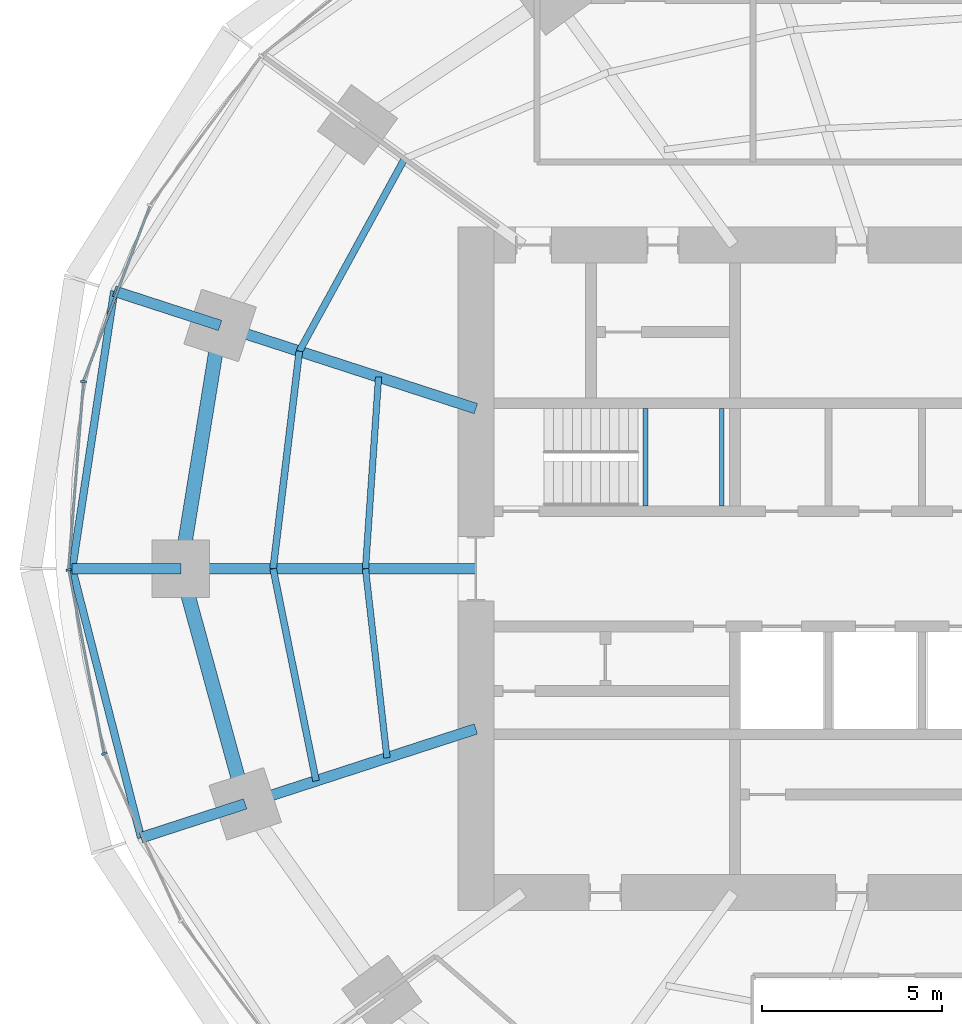
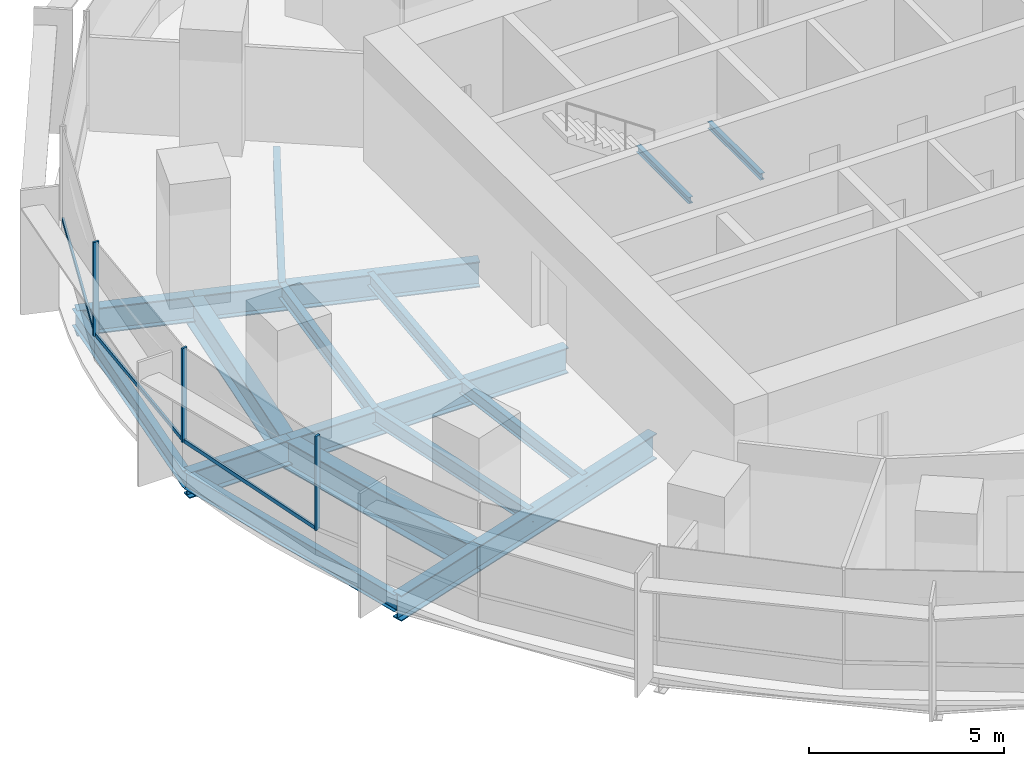
# One storey, part 4 of 14: 17 beams, 6 members, 2 elements without a shape of their own.
"""IFC4 building model written with IfcOpenShell, lengths in metres."""

from ifc_helpers import new_model, si_unit, direction, frame, origin, origin_2d, place, context, subcontext, project, spatial, rectangle, i_section, extrude, material, material_profile, profile_set, type_object, element, aggregate, save


model = new_model("IFC4")

# Units and contexts
model_context = context("Model", 3, precision=1e-05, world=origin(), true_north=direction((0.0, 1.0)))
body_context = subcontext(model_context, "Body", "Model", "MODEL_VIEW")
ifc_project = project(units=[si_unit("LENGTHUNIT", "METRE"), si_unit("AREAUNIT", "SQUARE_METRE"), si_unit("VOLUMEUNIT", "CUBIC_METRE"), si_unit("PLANEANGLEUNIT", "RADIAN"), si_unit("MASSUNIT", "GRAM", prefix="KILO")], contexts=[model_context])

# Site, building, storey
site_placement = place(None, origin())
site = spatial("IfcSite", under=ifc_project, at=site_placement, CompositionType="ELEMENT")
building_placement = place(site_placement, origin())
building = spatial("IfcBuilding", under=site, at=building_placement, Name="Marramba Exchange Tower", CompositionType="ELEMENT")
storey_placement = place(building_placement, frame((0.0, 0.0, 154.800048828125)))
storey = spatial("IfcBuildingStorey", under=building, at=storey_placement, Name="L37", CompositionType="ELEMENT", Elevation=154.800048828125)

# Beams
ifc_material_1 = material(Name="Steel AS/NZS 3679.2 grade 300", Category="steel")
ifc_material_profile_1 = material_profile(ifc_material_1, i_section(OverallWidth=0.300048828125, OverallDepth=0.800048828125, WebThickness=0.013916015625, FlangeThickness=0.031982421875, at=origin_2d()), Name="800WB192")
ifc_profile_set_1 = profile_set([ifc_material_profile_1], Name="Steel AS/NZS 3679.2 grade 300")
beam_type_1 = type_object("IfcBeamType", Name="Cantilever girder 800WB192", PredefinedType="BEAM", material=ifc_profile_set_1)
beam_1_placement = place(storey_placement, frame((-20.808349609375, 6.760986328125, -0.56005859375), z_axis=(-0.95104799017, 0.309043233858, 0.0), x_axis=(-0.309043233858, -0.95104799017, 0.0)))
element("IfcBeam", 1, at=beam_1_placement, inside=storey, type_object=beam_type_1, Name="Cantilever girder L37 TC10", PredefinedType="BEAM", context=body_context, shape_type="SweptSolid", body=[
    extrude(i_section(OverallWidth=0.300048828125, OverallDepth=0.800048828125, WebThickness=0.013916015625, FlangeThickness=0.031982421875, at=origin_2d()), origin(), (0.0, 0.0, 1.0), 3.0927734375),
])
beam_2_placement = place(storey_placement, frame((-21.89990234375, 0.0, -0.56005859375), z_axis=(-1.0, 0.0, 0.0), x_axis=(0.0, -1.0, 0.0)))
element("IfcBeam", 2, at=beam_2_placement, inside=storey, type_object=beam_type_1, Name="Cantilever girder L37 TC11", PredefinedType="BEAM", context=body_context, shape_type="SweptSolid", body=[
    extrude(i_section(OverallWidth=0.300048828125, OverallDepth=0.800048828125, WebThickness=0.013916015625, FlangeThickness=0.031982421875, at=origin_2d()), origin(), (0.0, 0.0, 1.0), 3.01806640625),
])
beam_3_placement = place(storey_placement, frame((-20.109375, -6.533935546875, -0.56005859375), z_axis=(-0.951070617775, -0.308973591113, 0.0), x_axis=(0.308973591113, -0.951070617775, 0.0)))
element("IfcBeam", 3, at=beam_3_placement, inside=storey, type_object=beam_type_1, Name="Cantilever girder L37 TC12", PredefinedType="BEAM", context=body_context, shape_type="SweptSolid", body=[
    extrude(i_section(OverallWidth=0.300048828125, OverallDepth=0.800048828125, WebThickness=0.013916015625, FlangeThickness=0.031982421875, at=origin_2d()), origin(), (0.0, 0.0, 1.0), 3.04296875),
])
ifc_material_2 = material(Name="Steel AS/NZS 3679.1 grade 300", Category="steel")
ifc_material_profile_2 = material_profile(ifc_material_2, i_section(OverallWidth=0.177978515625, OverallDepth=0.406005859375, WebThickness=0.0078125, FlangeThickness=0.0126953125, FilletRadius=0.011474609375, at=origin_2d()), Name="410UB59.7")
ifc_profile_set_2 = profile_set([ifc_material_profile_2], Name="Steel AS/NZS 3679.1 grade 300")
beam_type_2 = type_object("IfcBeamType", Name="Floor joist 410UB59.7", PredefinedType="JOIST", material=ifc_profile_set_2)
beam_4_placement = place(storey_placement, frame((-16.40283203125, 5.32958984375, -0.363037109375), z_axis=(-0.068096259546, -0.99767875563, 0.0), x_axis=(0.99767875563, -0.068096259546, 0.0)))
element("IfcBeam", 4, at=beam_4_placement, inside=storey, type_object=beam_type_2, Name="Joist L37 bay 10 row 1", PredefinedType="JOIST", context=body_context, shape_type="SweptSolid", body=[
    extrude(i_section(OverallWidth=0.177978515625, OverallDepth=0.406005859375, WebThickness=0.0078125, FlangeThickness=0.0126953125, FilletRadius=0.011474609375, at=origin_2d()), origin(), (0.0, 0.0, 1.0), 5.342041015625),
])
beam_5_placement = place(storey_placement, frame((-16.7666015625, 0.0, -0.363037109375), z_axis=(0.112888968594, -0.993607609054, 0.0), x_axis=(0.993607609054, 0.112888968594, 0.0)))
element("IfcBeam", 5, at=beam_5_placement, inside=storey, type_object=beam_type_2, Name="Joist L37 bay 11 row 1", PredefinedType="JOIST", context=body_context, shape_type="SweptSolid", body=[
    extrude(i_section(OverallWidth=0.177978515625, OverallDepth=0.406005859375, WebThickness=0.0078125, FlangeThickness=0.0126953125, FilletRadius=0.011474609375, at=origin_2d()), origin(), (0.0, 0.0, 1.0), 5.28759765625),
])
ifc_material_profile_3 = material_profile(ifc_material_2, i_section(OverallWidth=0.18994140625, OverallDepth=0.4541015625, WebThickness=0.008544921875, FlangeThickness=0.0126953125, FilletRadius=0.011474609375, at=origin_2d()), Name="460UB67.1")
ifc_profile_set_3 = profile_set([ifc_material_profile_3], Name="Steel AS/NZS 3679.1 grade 300")
beam_type_3 = type_object("IfcBeamType", Name="Floor joist 460UB67.1", PredefinedType="JOIST", material=ifc_profile_set_3)
beam_6_placement = place(storey_placement, frame((-15.682373046875, 11.393798828125, -0.386962890625), z_axis=(-0.479584443791, -0.877495732909, 0.0), x_axis=(0.877495732909, -0.479584443791, 0.0)))
element("IfcBeam", 6, at=beam_6_placement, inside=storey, type_object=beam_type_3, Name="Joist L37 bay 09 row 2", PredefinedType="JOIST", context=body_context, shape_type="SweptSolid", body=[
    extrude(i_section(OverallWidth=0.18994140625, OverallDepth=0.4541015625, WebThickness=0.008544921875, FlangeThickness=0.0126953125, FilletRadius=0.011474609375, at=origin_2d()), origin(), (0.0, 0.0, 1.0), 6.094970703125),
])
beam_7_placement = place(storey_placement, frame((-18.60546875, 6.04541015625, -0.386962890625), z_axis=(-0.119523078538, -0.992831422597, 0.0), x_axis=(0.992831422597, -0.119523078538, 0.0)))
element("IfcBeam", 7, at=beam_7_placement, inside=storey, type_object=beam_type_3, Name="Joist L37 bay 10 row 2", PredefinedType="JOIST", context=body_context, shape_type="SweptSolid", body=[
    extrude(i_section(OverallWidth=0.18994140625, OverallDepth=0.4541015625, WebThickness=0.008544921875, FlangeThickness=0.0126953125, FilletRadius=0.011474609375, at=origin_2d()), origin(), (0.0, 0.0, 1.0), 6.089111328125),
])
beam_8_placement = place(storey_placement, frame((-19.333251953125, 0.0, -0.386962890625), z_axis=(0.198489047047, -0.980103105904, 0.0), x_axis=(0.980103105904, 0.198489047047, 0.0)))
element("IfcBeam", 8, at=beam_8_placement, inside=storey, type_object=beam_type_3, Name="Joist L37 bay 11 row 2", PredefinedType="JOIST", context=body_context, shape_type="SweptSolid", body=[
    extrude(i_section(OverallWidth=0.18994140625, OverallDepth=0.4541015625, WebThickness=0.008544921875, FlangeThickness=0.0126953125, FilletRadius=0.011474609375, at=origin_2d()), origin(), (0.0, 0.0, 1.0), 6.013427734375),
])

# Curtain wall, member
ifc_material_3 = material(Name="Aluminium framing, bronze anodised", Category="aluminium")
curtain_wall_type = type_object("IfcCurtainWallType", Name="Office ribbon curtain wall", PredefinedType="USERDEFINED", material=ifc_material_3)
curtain_wall_1_placement = place(storey_placement, origin())
curtain_wall_1 = element("IfcCurtainWall", 9, at=curtain_wall_1_placement, inside=storey, type_object=curtain_wall_type, Name="Curtain wall CW4 L37 F11-F15", ObjectType="RIBBON CURTAIN WALL", PredefinedType="USERDEFINED")
ifc_material_4 = material(Name="Aluminium mullion, bronze anodised", Category="aluminium")
ifc_material_profile_4 = material_profile(ifc_material_4, rectangle(XDim=0.159912109375, YDim=0.06005859375, at=origin_2d()), Name="CW4 mullion 60x160")
ifc_profile_set_4 = profile_set([ifc_material_profile_4], Name="Aluminium mullion, bronze anodised")
member_type_1 = type_object("IfcMemberType", Name="Office ribbon curtain wall mullion", PredefinedType="MULLION", material=ifc_profile_set_4)
member_1_placement = place(storey_placement, frame((-24.603515625, 5.19921875, 0.800048828125), z_axis=(0.0, 0.0, 1.0), x_axis=(0.996838079455, -0.079459696383, 0.0)))
member_1 = element("IfcMember", 10, at=member_1_placement, type_object=member_type_1, Name="CW4 mullion 1", PredefinedType="MULLION", context=body_context, shape_type="SweptSolid", body=[
    extrude(rectangle(XDim=0.159912109375, YDim=0.06005859375, at=origin_2d()), origin(), (0.0, 0.0, 1.0), 2.93994140625),
])

# Curtain wall, members
curtain_wall_2_placement = place(storey_placement, origin())
curtain_wall_2 = element("IfcCurtainWall", 11, at=curtain_wall_2_placement, inside=storey, type_object=curtain_wall_type, Name="Curtain wall CW4 L37 F16-F20", ObjectType="RIBBON CURTAIN WALL", PredefinedType="USERDEFINED")
member_2_placement = place(storey_placement, frame((-25.012451171875, -0.029541015625, 0.800048828125), z_axis=(0.0, 0.0, 1.0), x_axis=(0.982125509078, 0.18822721487, 0.0)))
member_2 = element("IfcMember", 12, at=member_2_placement, type_object=member_type_1, Name="CW4 mullion 1", PredefinedType="MULLION", context=body_context, shape_type="SweptSolid", body=[
    extrude(rectangle(XDim=0.159912109375, YDim=0.06005859375, at=origin_2d()), origin(), (0.0, 0.0, 1.0), 2.93994140625),
])
member_3_placement = place(storey_placement, frame((-24.026123046875, -5.136962890625, 0.800048828125), z_axis=(0.0, 0.0, 1.0), x_axis=(0.909026713177, 0.416737848929, 0.0)))
member_3 = element("IfcMember", 13, at=member_3_placement, type_object=member_type_1, Name="CW4 mullion 1", PredefinedType="MULLION", context=body_context, shape_type="SweptSolid", body=[
    extrude(rectangle(XDim=0.159912109375, YDim=0.06005859375, at=origin_2d()), origin(), (0.0, 0.0, 1.0), 2.93994140625),
])

# Member
ifc_material_5 = material(Name="Aluminium transom, bronze anodised", Category="aluminium")
ifc_material_profile_5 = material_profile(ifc_material_5, rectangle(XDim=0.06005859375, YDim=0.1201171875, at=origin_2d()), Name="CW4 transom 60x120")
ifc_profile_set_5 = profile_set([ifc_material_profile_5], Name="Aluminium transom, bronze anodised")
member_type_2 = type_object("IfcMemberType", Name="Office ribbon curtain wall transom", PredefinedType="USERDEFINED", material=ifc_profile_set_5)
member_4_placement = place(storey_placement, frame((-22.763916015625, 10.069580078125, 0.829833984375), z_axis=(-0.354851822252, -0.934922555212, 0.0), x_axis=(0.934922555212, -0.354851822252, 0.0)))
member_4 = element("IfcMember", 14, at=member_4_placement, type_object=member_type_2, Name="CW4 sill transom", ObjectType="TRANSOM", PredefinedType="USERDEFINED", context=body_context, shape_type="SweptSolid", body=[
    extrude(rectangle(XDim=0.06005859375, YDim=0.1201171875, at=origin_2d()), origin(), (0.0, 0.0, 1.0), 5.17724609375),
])

member_5_placement = place(storey_placement, frame((-24.60595703125, 5.16943359375, 0.829833984375), z_axis=(-0.07946828762, -0.996837394595, 0.0), x_axis=(0.996837394595, -0.07946828762, 0.0)))
member_5 = element("IfcMember", 15, at=member_5_placement, type_object=member_type_2, Name="CW4 sill transom", ObjectType="TRANSOM", PredefinedType="USERDEFINED", context=body_context, shape_type="SweptSolid", body=[
    extrude(rectangle(XDim=0.06005859375, YDim=0.1201171875, at=origin_2d()), origin(), (0.0, 0.0, 1.0), 5.185791015625),
])

aggregate(curtain_wall_1, [member_4, member_1, member_5])

member_6_placement = place(storey_placement, frame((-25.006591796875, -0.058837890625, 0.829833984375), z_axis=(0.188185293992, -0.982133542409, 0.0), x_axis=(0.982133542409, 0.188185293992, 0.0)))
member_6 = element("IfcMember", 16, at=member_6_placement, type_object=member_type_2, Name="CW4 sill transom", ObjectType="TRANSOM", PredefinedType="USERDEFINED", context=body_context, shape_type="SweptSolid", body=[
    extrude(rectangle(XDim=0.06005859375, YDim=0.1201171875, at=origin_2d()), origin(), (0.0, 0.0, 1.0), 5.142578125),
])

aggregate(curtain_wall_2, [member_2, member_6, member_3])

# Beams
ifc_material_profile_6 = material_profile(ifc_material_1, i_section(OverallWidth=0.300048828125, OverallDepth=0.800048828125, WebThickness=0.013916015625, FlangeThickness=0.031982421875, at=origin_2d()), Name="800WB192")
ifc_profile_set_6 = profile_set([ifc_material_profile_6], Name="Steel AS/NZS 3679.2 grade 300")
beam_type_4 = type_object("IfcBeamType", Name="Radial girder 800WB192", PredefinedType="BEAM", material=ifc_profile_set_6)
beam_9_placement = place(storey_placement, frame((-13.699951171875, 4.451416015625, -0.56005859375), z_axis=(-0.951059990189, 0.309006302624, 0.0), x_axis=(-0.309006302624, -0.951059990189, 0.0)))
element("IfcBeam", 17, at=beam_9_placement, inside=storey, type_object=beam_type_4, Name="Radial girder L37 TC10", PredefinedType="BEAM", context=body_context, shape_type="SweptSolid", body=[
    extrude(i_section(OverallWidth=0.300048828125, OverallDepth=0.800048828125, WebThickness=0.013916015625, FlangeThickness=0.031982421875, at=origin_2d()), origin(), (0.0, 0.0, 1.0), 7.47412109375),
])
beam_10_placement = place(storey_placement, frame((-13.699951171875, 0.0, -0.56005859375), z_axis=(-1.0, 0.0, 0.0), x_axis=(0.0, -1.0, 0.0)))
element("IfcBeam", 18, at=beam_10_placement, inside=storey, type_object=beam_type_4, Name="Radial girder L37 TC11", PredefinedType="BEAM", context=body_context, shape_type="SweptSolid", body=[
    extrude(i_section(OverallWidth=0.300048828125, OverallDepth=0.800048828125, WebThickness=0.013916015625, FlangeThickness=0.031982421875, at=origin_2d()), origin(), (0.0, 0.0, 1.0), 8.199951171875),
])
beam_11_placement = place(storey_placement, frame((-13.699951171875, -4.451416015625, -0.56005859375), z_axis=(-0.951057759669, -0.309013167637, 0.0), x_axis=(0.309013167637, -0.951057759669, 0.0)))
element("IfcBeam", 19, at=beam_11_placement, inside=storey, type_object=beam_type_4, Name="Radial girder L37 TC12", PredefinedType="BEAM", context=body_context, shape_type="SweptSolid", body=[
    extrude(i_section(OverallWidth=0.300048828125, OverallDepth=0.800048828125, WebThickness=0.013916015625, FlangeThickness=0.031982421875, at=origin_2d()), origin(), (0.0, 0.0, 1.0), 6.7392578125),
])
ifc_material_profile_7 = material_profile(ifc_material_1, i_section(OverallWidth=0.39990234375, OverallDepth=0.89990234375, WebThickness=0.01611328125, FlangeThickness=0.031982421875, at=origin_2d()), Name="900WB282")
ifc_profile_set_7 = profile_set([ifc_material_profile_7], Name="Steel AS/NZS 3679.2 grade 300")
beam_type_5 = type_object("IfcBeamType", Name="Ring beam 900WB282", PredefinedType="SPANDREL", material=ifc_profile_set_7)
beam_12_placement = place(storey_placement, frame((-20.808349609375, 6.760986328125, -0.610107421875), z_axis=(-0.159384865399, -0.987216523708, 0.0), x_axis=(0.987216523708, -0.159384865399, 0.0)))
element("IfcBeam", 20, at=beam_12_placement, inside=storey, type_object=beam_type_5, Name="Ring beam L37 TC10-TC11", PredefinedType="SPANDREL", context=body_context, shape_type="SweptSolid", body=[
    extrude(i_section(OverallWidth=0.39990234375, OverallDepth=0.89990234375, WebThickness=0.01611328125, FlangeThickness=0.031982421875, at=origin_2d()), origin(), (0.0, 0.0, 1.0), 6.8486328125),
])
beam_13_placement = place(storey_placement, frame((-21.89990234375, 0.0, -0.610107421875), z_axis=(0.264291166956, -0.964442937176, 0.0), x_axis=(0.964442937176, 0.264291166956, 0.0)))
element("IfcBeam", 21, at=beam_13_placement, inside=storey, type_object=beam_type_5, Name="Ring beam L37 TC11-TC12", PredefinedType="SPANDREL", context=body_context, shape_type="SweptSolid", body=[
    extrude(i_section(OverallWidth=0.39990234375, OverallDepth=0.89990234375, WebThickness=0.01611328125, FlangeThickness=0.031982421875, at=origin_2d()), origin(), (0.0, 0.0, 1.0), 6.77490234375),
])
ifc_material_profile_8 = material_profile(ifc_material_2, i_section(OverallWidth=0.208984375, OverallDepth=0.528076171875, WebThickness=0.009521484375, FlangeThickness=0.01318359375, FilletRadius=0.013916015625, at=origin_2d()), Name="530UB82.0")
ifc_profile_set_8 = profile_set([ifc_material_profile_8], Name="Steel AS/NZS 3679.1 grade 300")
beam_type_6 = type_object("IfcBeamType", Name="Slab edge beam 530UB82.0", PredefinedType="SPANDREL", material=ifc_profile_set_8)
beam_14_placement = place(storey_placement, frame((-23.749755859375, 7.716796875, -0.424072265625), z_axis=(-0.149680281727, -0.988734450326, 0.0), x_axis=(0.988734450326, -0.149680281727, 0.0)))
element("IfcBeam", 22, at=beam_14_placement, inside=storey, type_object=beam_type_6, Name="Slab edge beam L37 TC10-TC11", PredefinedType="SPANDREL", context=body_context, shape_type="SweptSolid", body=[
    extrude(i_section(OverallWidth=0.208984375, OverallDepth=0.528076171875, WebThickness=0.009521484375, FlangeThickness=0.01318359375, FilletRadius=0.013916015625, at=origin_2d()), origin(), (0.0, 0.0, 1.0), 7.8046875),
])
beam_15_placement = place(storey_placement, frame((-24.91796875, 0.0, -0.424072265625), z_axis=(0.248145427917, -0.968722791413, 0.0), x_axis=(0.968722791413, 0.248145427917, 0.0)))
element("IfcBeam", 23, at=beam_15_placement, inside=storey, type_object=beam_type_6, Name="Slab edge beam L37 TC11-TC12", PredefinedType="SPANDREL", context=body_context, shape_type="SweptSolid", body=[
    extrude(i_section(OverallWidth=0.208984375, OverallDepth=0.528076171875, WebThickness=0.009521484375, FlangeThickness=0.01318359375, FilletRadius=0.013916015625, at=origin_2d()), origin(), (0.0, 0.0, 1.0), 7.71533203125),
])
ifc_material_profile_9 = material_profile(ifc_material_2, i_section(OverallWidth=0.133056640625, OverallDepth=0.202880859375, WebThickness=0.005859375, FlangeThickness=0.0078125, FilletRadius=0.0087890625, at=origin_2d()), Name="200UB25.4")
ifc_profile_set_9 = profile_set([ifc_material_profile_9], Name="Steel AS/NZS 3679.1 grade 300")
beam_type_7 = type_object("IfcBeamType", Name="Stair landing beam 200UB25.4", PredefinedType="BEAM", material=ifc_profile_set_9)
for number, where, z_axis, x_axis, name in (
    (24, (-8.9833984375, 1.75, 1.6484375), (0.0, 1.0, 0.0), (-1.0, 0.0, 0.0), "Stair landing beam SLB1 ST1 L37 1"),
    (25, (-6.866455078125, 1.75, 1.6484375), (0.0, 1.0, 0.0), (-1.0, 0.0, 0.0), "Stair landing beam SLB1 ST1 L37 2"),
):
    element("IfcBeam", number, at=place(storey_placement, frame(where, z_axis=z_axis, x_axis=x_axis)), inside=storey, type_object=beam_type_7, Name=name, PredefinedType="BEAM", context=body_context, shape_type="SweptSolid", body=[
        extrude(i_section(OverallWidth=0.133056640625, OverallDepth=0.202880859375, WebThickness=0.005859375, FlangeThickness=0.0078125, FilletRadius=0.0087890625, at=origin_2d()), origin(), (0.0, 0.0, 1.0), 2.699951171875),
    ])

save(model, "model.ifc")
